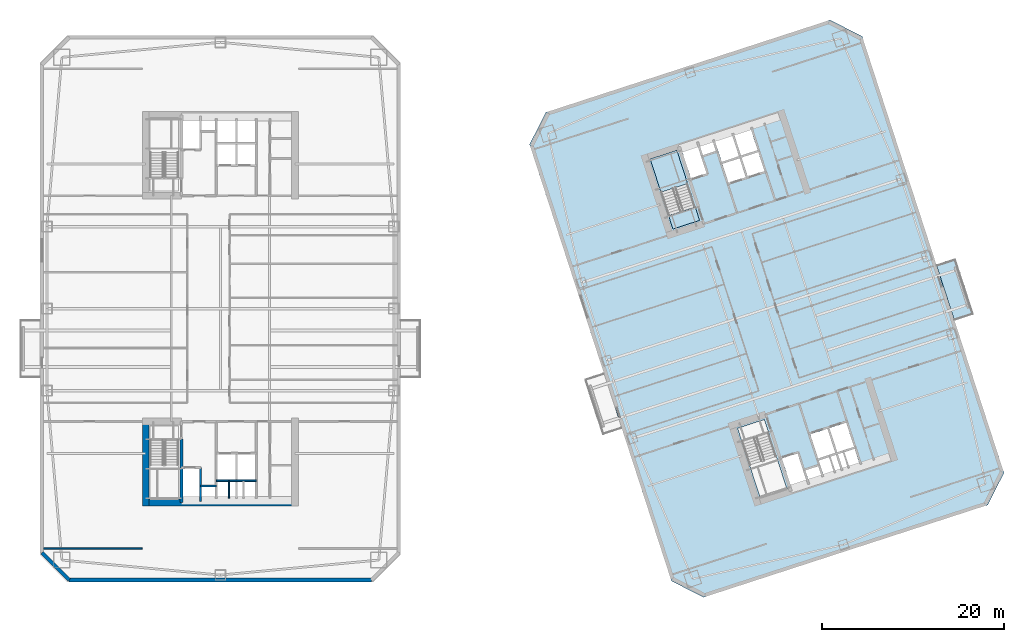
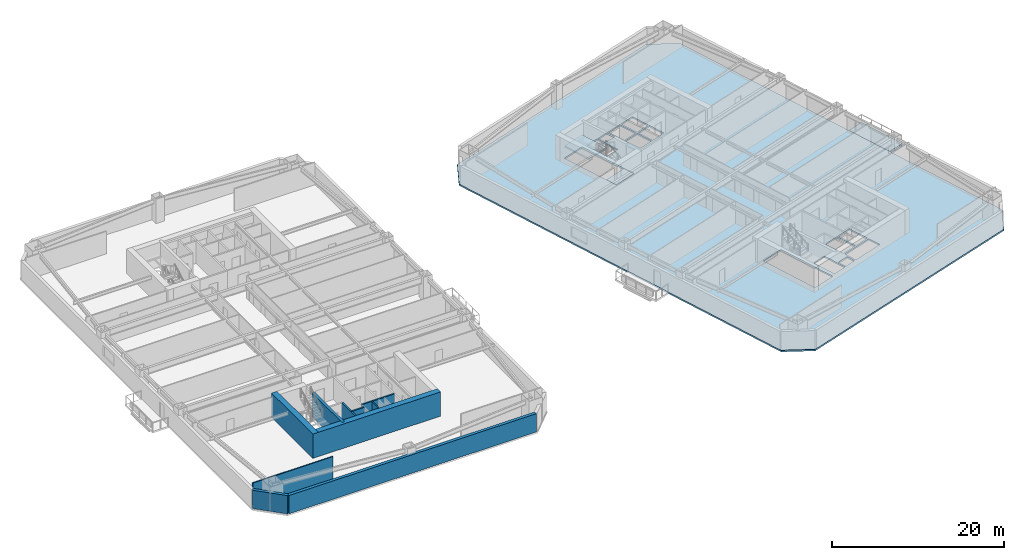
# One storey, part 3 of 15: 10 walls, 4 slabs, 1 element without a shape of its own.
"""IFC4 building model written with IfcOpenShell, lengths in metres."""

import ifcopenshell
import ifcopenshell.guid

model = None  # the IFC model being written
_history = None  # IfcOwnerHistory: only IFC2X3 demands one
_inside = {}  # id of a spatial element -> (the spatial element, [elements in it])
_under = {}  # id of a project, library or spatial element -> (it, [spatial elements below it])
_declared = {}  # id of a project -> (the project, [libraries it declares])
_typed = {}  # id of a type object -> (the type object, [elements of that type])
_made_of = {}  # id of a material, layer set ... -> (it, [elements and type objects made of it])


def new_model(schema):
    """Start an empty IFC model of exactly this schema.

    Asked for "IFC4X3", IfcOpenShell would pick the latest addendum, in which some entities
    have other attributes; the version numbers below select the first issue.
    IFC2X3 requires an IfcOwnerHistory on every rooted entity: one is made here for all.
    """
    global model, _history
    if schema == "IFC4X3":
        model = ifcopenshell.file(schema_version=(4, 3, 0, 0))
    else:
        model = ifcopenshell.file(schema=schema)
    _inside.clear()
    _under.clear()
    _declared.clear()
    _typed.clear()
    _made_of.clear()
    _history = None
    if model.schema == "IFC2X3":
        org = make("IfcOrganization", Name="unknown")
        user = make(
            "IfcPersonAndOrganization",
            ThePerson=make("IfcPerson", FamilyName="unknown"),
            TheOrganization=org,
        )
        app = make(
            "IfcApplication",
            ApplicationDeveloper=org,
            Version="unknown",
            ApplicationFullName="unknown",
            ApplicationIdentifier="unknown",
        )
        _history = make(
            "IfcOwnerHistory",
            OwningUser=user,
            OwningApplication=app,
            ChangeAction="ADDED",
            CreationDate=0,
        )
    return model


def make(cls, **values):
    """One entity of the class cls with the attributes given. An attribute that is None is left unset."""
    return model.create_entity(
        cls, **{name: value for name, value in values.items() if value is not None}
    )


def rooted(cls, **values):
    """An entity with a GlobalId (a new one), such as an element, a storey or a relation."""
    return make(cls, GlobalId=ifcopenshell.guid.new(), OwnerHistory=_history, **values)


def si_unit(unit_type, name, prefix=None):
    """IfcSIUnit, for example si_unit("LENGTHUNIT", "METRE", prefix="MILLI")."""
    return make("IfcSIUnit", UnitType=unit_type, Prefix=prefix, Name=name)


def assignment(units):
    """IfcUnitAssignment: the units of a project."""
    return None if units is None else make("IfcUnitAssignment", Units=units)


def point(xyz):
    """IfcCartesianPoint."""
    return None if xyz is None else make("IfcCartesianPoint", Coordinates=xyz)


def direction(xyz):
    """IfcDirection."""
    return None if xyz is None else make("IfcDirection", DirectionRatios=xyz)


def frame(location, z_axis=None, x_axis=None):
    """IfcAxis2Placement3D, a coordinate frame: its origin and axes. An axis left out is left unset."""
    return make(
        "IfcAxis2Placement3D",
        Location=point(location),
        Axis=direction(z_axis),
        RefDirection=direction(x_axis),
    )


def frame_2d(location, x_axis=None):
    """IfcAxis2Placement2D, a coordinate frame in the plane: its origin and x axis."""
    return make(
        "IfcAxis2Placement2D", Location=point(location), RefDirection=direction(x_axis)
    )


def origin():
    """The frame at (0, 0, 0) with its axes left unset."""
    return frame((0.0, 0.0, 0.0))


def place(relative_to, where):
    """IfcLocalPlacement: puts the frame where relative to a parent placement (None: the world)."""
    return make(
        "IfcLocalPlacement", PlacementRelTo=relative_to, RelativePlacement=where
    )


def context(
    kind, dimensions, precision=None, world=None, true_north=None, identifier=None
):
    """IfcGeometricRepresentationContext, for example the 3D "Model" context."""
    return make(
        "IfcGeometricRepresentationContext",
        ContextIdentifier=identifier,
        ContextType=kind,
        CoordinateSpaceDimension=dimensions,
        Precision=precision,
        WorldCoordinateSystem=world,
        TrueNorth=true_north,
    )


def subcontext(parent, identifier, kind, view, scale=None):
    """IfcGeometricRepresentationSubContext, for example "Body" below "Model"."""
    return make(
        "IfcGeometricRepresentationSubContext",
        ContextIdentifier=identifier,
        ContextType=kind,
        ParentContext=parent,
        TargetScale=scale,
        TargetView=view,
    )


def project(units=None, contexts=None):
    """IfcProject with its units and contexts."""
    return rooted(
        "IfcProject",
        Name="project",
        RepresentationContexts=contexts,
        UnitsInContext=assignment(units),
    )


def spatial(cls, under=None, at=None, **own):
    """A site, building, storey or space (cls), placed at a placement, below another one or the project."""
    s = rooted(cls, ObjectPlacement=at, **own)
    if under is not None:
        _under.setdefault(under.id(), (under, []))[1].append(s)
    return s


def polyline(points):
    """IfcPolyline through the points."""
    return make("IfcPolyline", Points=[point(p) for p in points])


def profile(cls, at=None, kind="AREA", **sizes):
    """A parametric profile (cls). Its sizes go by their IFC names, for example OverallWidth=200.0."""
    return make(cls, ProfileType=kind, Position=at, **sizes)


def rectangle(**sizes):
    """IfcRectangleProfileDef."""
    return profile("IfcRectangleProfileDef", **sizes)


def outline(outer, holes=None, kind="AREA"):
    """IfcArbitraryClosedProfileDef: a profile drawn as a closed curve; with holes, ...WithVoids."""
    if holes is None:
        return make("IfcArbitraryClosedProfileDef", ProfileType=kind, OuterCurve=outer)
    return make(
        "IfcArbitraryProfileDefWithVoids",
        ProfileType=kind,
        OuterCurve=outer,
        InnerCurves=holes,
    )


def extrude(swept, where, along, depth):
    """IfcExtrudedAreaSolid: the profile swept, set in the frame where, extruded along a direction by depth."""
    return make(
        "IfcExtrudedAreaSolid",
        SweptArea=swept,
        Position=where,
        ExtrudedDirection=direction(along),
        Depth=depth,
    )


def shape(context_of_items, identifier, shape_type, items):
    """IfcShapeRepresentation: the items that make up one representation, for example the "Body"."""
    return make(
        "IfcShapeRepresentation",
        ContextOfItems=context_of_items,
        RepresentationIdentifier=identifier,
        RepresentationType=shape_type,
        Items=items,
    )


def material(Name=None, Category=None):
    """IfcMaterial."""
    return make("IfcMaterial", Name=Name, Category=Category)


def layer(
    of_material, thickness, ventilated=None, Name=None, Category=None, Priority=None
):
    """IfcMaterialLayer: one layer of a wall or slab, of a material (None: an air gap)."""
    return make(
        "IfcMaterialLayer",
        Material=of_material,
        LayerThickness=thickness,
        IsVentilated=ventilated,
        Name=Name,
        Category=Category,
        Priority=Priority,
    )


def layer_set(layers, Name=None):
    """IfcMaterialLayerSet."""
    return make("IfcMaterialLayerSet", MaterialLayers=layers, LayerSetName=Name)


def made_of(thing, what):
    """Note that an element or type object is made of a material, layer set ...; save() writes the relation."""
    if what is not None:
        _made_of.setdefault(what.id(), (what, []))[1].append(thing)
    return thing


def type_object(cls, material=None, **own):
    """A type object (cls), such as IfcWallType, which elements share."""
    return made_of(rooted(cls, **own), material)


def element(
    cls,
    number,
    at=None,
    inside=None,
    cuts=None,
    type_object=None,
    material=None,
    context=None,
    identifier="Body",
    shape_type=None,
    held_by="IfcProductDefinitionShape",
    body=None,
    shapes=None,
    **own,
):
    """One element of the class cls, such as IfcWall. Its Tag is "e" and its number.

    at: its placement. inside: the storey or other place that contains it. cuts: it is an
    opening in that element (IfcRelVoidsElement). A single representation is given by context,
    identifier, shape_type and body (its items); several are given by shapes. held_by: the class
    of the entity that holds the representations. save() writes the other relations.
    """
    e = rooted(cls, Tag="e%d" % number, ObjectPlacement=at, **own)
    if body is not None:
        shapes = [shape(context, identifier, shape_type, body)]
    if shapes is not None:
        e.Representation = make(held_by, Representations=shapes)
    if inside is not None:
        _inside.setdefault(inside.id(), (inside, []))[1].append(e)
    if cuts is not None:
        rooted(
            "IfcRelVoidsElement", RelatingBuildingElement=cuts, RelatedOpeningElement=e
        )
    if type_object is not None:
        _typed.setdefault(type_object.id(), (type_object, []))[1].append(e)
    return made_of(e, material)


def aggregate(whole, parts):
    """IfcRelAggregates: a whole, such as a stair, and the parts it consists of."""
    return rooted("IfcRelAggregates", RelatingObject=whole, RelatedObjects=parts)


def save(model, path):
    """Write the relations noted so far, then the file.

    IfcRelAggregates (storeys below a building ...), IfcRelContainedInSpatialStructure (elements
    in a storey), IfcRelDefinesByType, IfcRelAssociatesMaterial and IfcRelDeclares: one each for
    every whole, place, type object, material and project.
    """
    for whole, parts in _under.values():
        aggregate(whole, parts)
    for where, things in _inside.values():
        rooted(
            "IfcRelContainedInSpatialStructure",
            RelatedElements=things,
            RelatingStructure=where,
        )
    for kind, things in _typed.values():
        rooted("IfcRelDefinesByType", RelatedObjects=things, RelatingType=kind)
    for what, things in _made_of.values():
        rooted("IfcRelAssociatesMaterial", RelatedObjects=things, RelatingMaterial=what)
    for by, libraries in _declared.values():
        rooted("IfcRelDeclares", RelatingContext=by, RelatedDefinitions=libraries)
    model.write(path)


model = new_model("IFC4")

# Units and contexts
model_context = context("Model", 3, precision=1e-05, world=origin(), true_north=direction((0.0, 1.0)))
body_context = subcontext(model_context, "Body", "Model", "MODEL_VIEW")
ifc_project = project(units=[si_unit("LENGTHUNIT", "METRE"), si_unit("AREAUNIT", "SQUARE_METRE"), si_unit("VOLUMEUNIT", "CUBIC_METRE"), si_unit("PLANEANGLEUNIT", "RADIAN"), si_unit("MASSUNIT", "GRAM", prefix="KILO")], contexts=[model_context])

# Site, building, storey
site_placement = place(None, origin())
site = spatial("IfcSite", under=ifc_project, at=site_placement, CompositionType="ELEMENT")
building_placement = place(site_placement, origin())
building = spatial("IfcBuilding", under=site, at=building_placement, Name="Qiaolan Cultural Towers", CompositionType="ELEMENT")
storey_placement = place(building_placement, frame((0.0, 0.0, 60.949951171875)))
storey = spatial("IfcBuildingStorey", under=building, at=storey_placement, Name="L14", CompositionType="ELEMENT", Elevation=60.949951171875)

# Slab
ifc_material_1 = material(Name="Concrete C45", Category="concrete")
ifc_layer_1 = layer(ifc_material_1, 0.239990234375)
ifc_layer_set_1 = layer_set([ifc_layer_1], Name="Concrete C45")
slab_type_1 = type_object("IfcSlabType", Name="SL-BAL-240", PredefinedType="FLOOR", material=ifc_layer_set_1)
slab_1_placement = place(storey_placement, frame((0.0, 0.0, -0.239990234375)))
element("IfcSlab", 1, at=slab_1_placement, inside=storey, type_object=slab_type_1, Name="L14 T2 Planted Tree Balcony E", PredefinedType="FLOOR", context=body_context, shape_type="SweptSolid", body=[
    extrude(outline(polyline([(110.60888671875, 32.705078125), (112.701171875, 33.385009765625), (110.723388671875, 39.4716796875), (108.631103515625, 38.791748046875), (110.60888671875, 32.705078125)])), origin(), (0.0, 0.0, 1.0), 0.239990234375),
])

# Stair, slab
ifc_material_2 = material(Name="Concrete C45", Category="concrete")
stair_type = type_object("IfcStairType", Name="STR-CORE-1500", PredefinedType="HALF_TURN_STAIR", material=ifc_material_2)
stair_placement = place(storey_placement, origin())
stair = element("IfcStair", 2, at=stair_placement, inside=storey, type_object=stair_type, Name="L14 Smokeproof Exit Stair ST-E2", PredefinedType="HALF_TURN_STAIR")
ifc_material_3 = material(Name="Concrete C45", Category="concrete")
ifc_layer_2 = layer(ifc_material_3, 0.199951171875)
ifc_layer_set_2 = layer_set([ifc_layer_2], Name="Concrete C45")
slab_type_2 = type_object("IfcSlabType", Name="SL-STAIR-LAND", PredefinedType="LANDING", material=ifc_layer_set_2)
slab_2_placement = place(storey_placement, frame((0.0, 0.0, 1.525146484375)))
slab_2 = element("IfcSlab", 3, at=slab_2_placement, type_object=slab_type_2, Name="ST-E2 landing 1", PredefinedType="LANDING", context=body_context, shape_type="SweptSolid", body=[
    extrude(outline(polyline([(81.31005859375, 47.735595703125), (80.1201171875, 51.3984375), (77.190673828125, 50.44677734375), (78.380859375, 46.783935546875), (81.31005859375, 47.735595703125)])), origin(), (0.0, 0.0, 1.0), 0.199951171875),
])
aggregate(stair, [slab_2])

# Slabs
ifc_material_4 = material(Name="Concrete C40", Category="concrete")
ifc_layer_3 = layer(ifc_material_4, 0.360107421875)
ifc_layer_set_3 = layer_set([ifc_layer_3], Name="Concrete C40")
slab_type_3 = type_object("IfcSlabType", Name="SL-STFLR-360", PredefinedType="LANDING", material=ifc_layer_set_3)
slab_3_placement = place(storey_placement, frame((0.0, 0.0, -0.35986328125)))
element("IfcSlab", 4, at=slab_3_placement, inside=storey, type_object=slab_type_3, Name="L14 ST-E2 Stair Floor Landing Slab", PredefinedType="LANDING", context=body_context, shape_type="SweptSolid", body=[
    extrude(outline(polyline([(82.62060546875, 43.6962890625), (82.141845703125, 45.169677734375), (79.21630859375, 44.21923828125), (79.695068359375, 42.74560546875), (82.62060546875, 43.6962890625)])), origin(), (0.0, 0.0, 1.0), 0.35986328125),
])
ifc_material_5 = material(Name="Concrete C45", Category="concrete")
ifc_layer_4 = layer(ifc_material_5, 0.219970703125)
ifc_layer_set_4 = layer_set([ifc_layer_4], Name="Concrete C45")
slab_type_4 = type_object("IfcSlabType", Name="SL-TYP-220", PredefinedType="FLOOR", material=ifc_layer_set_4)
slab_4_placement = place(storey_placement, frame((0.0, 0.0, -0.219970703125)))
element("IfcSlab", 5, at=slab_4_placement, inside=storey, type_object=slab_type_4, Name="L14 East Tower Floor Slab", PredefinedType="FLOOR", context=body_context, shape_type="SweptSolid", body=[
    extrude(outline(polyline([(83.05517578125, 2.302490234375), (114.249755859375, 12.438232421875), (116.047607421875, 15.966552734375), (100.47314453125, 63.899658203125), (96.94482421875, 65.697509765625), (65.750244140625, 55.561767578125), (63.952392578125, 52.033447265625), (79.52685546875, 4.100341796875), (83.05517578125, 2.302490234375)]), holes=[polyline([(86.80126953125, 20.868896484375), (89.30419921875, 13.165283203125), (92.2333984375, 14.116943359375), (89.73046875, 21.820556640625), (86.80126953125, 20.868896484375)]), polyline([(82.623046875, 43.69482421875), (80.1201171875, 51.3984375), (77.190673828125, 50.44677734375), (79.69384765625, 42.7431640625), (82.623046875, 43.69482421875)]), polyline([(92.666259765625, 14.468017578125), (94.42578125, 15.03955078125), (93.42138671875, 18.130615234375), (91.661865234375, 17.558837890625), (92.666259765625, 14.468017578125)]), polyline([(94.5908203125, 15.14599609375), (96.027099609375, 15.612548828125), (95.66552734375, 16.725341796875), (94.2294921875, 16.258544921875), (94.5908203125, 15.14599609375)]), polyline([(95.643310546875, 17.5380859375), (97.54541015625, 18.15625), (96.68017578125, 20.819091796875), (94.77783203125, 20.201171875), (95.643310546875, 17.5380859375)]), polyline([(97.735595703125, 18.218017578125), (99.58056640625, 18.8173828125), (98.71533203125, 21.48046875), (96.870361328125, 20.880859375), (97.735595703125, 18.218017578125)]), polyline([(96.245849609375, 15.68359375), (100.18310546875, 16.962890625), (99.6484375, 18.608154296875), (95.711181640625, 17.328857421875), (96.245849609375, 15.68359375)]), polyline([(81.6806640625, 48.278076171875), (83.440185546875, 48.849609375), (82.435791015625, 51.940673828125), (80.67626953125, 51.368896484375), (81.6806640625, 48.278076171875)]), polyline([(82.993408203125, 50.839111328125), (84.4296875, 51.3056640625), (84.068115234375, 52.41845703125), (82.632080078125, 51.95166015625), (82.993408203125, 50.839111328125)]), polyline([(85.810302734375, 47.80078125), (87.71240234375, 48.418701171875), (87.013916015625, 50.568115234375), (85.11181640625, 49.9501953125), (85.810302734375, 47.80078125)]), polyline([(87.902587890625, 48.480712890625), (89.74755859375, 49.080078125), (89.04931640625, 51.2294921875), (87.2041015625, 50.6298828125), (87.902587890625, 48.480712890625)]), polyline([(85.05322265625, 50.130859375), (86.936279296875, 50.74267578125), (86.169921875, 53.101318359375), (84.286865234375, 52.489501953125), (85.05322265625, 50.130859375)]), polyline([(87.1455078125, 50.810791015625), (88.990478515625, 51.41015625), (88.22412109375, 53.768798828125), (86.379150390625, 53.169189453125), (87.1455078125, 50.810791015625)])]), origin(), (0.0, 0.0, 1.0), 0.219970703125),
])

# Walls
ifc_material_6 = material(Name="Concrete C50", Category="concrete")
ifc_layer_5 = layer(ifc_material_6, 0.35009765625)
ifc_layer_set_5 = layer_set([ifc_layer_5], Name="Concrete C50")
wall_type_1 = type_object("IfcWallType", Name="WL-CORE-350", PredefinedType="SHEAR", material=ifc_layer_set_5)
wall_1_placement = place(storey_placement, frame((25.719970703125, 19.699951171875, 0.0), z_axis=(0.0, 0.0, 1.0), x_axis=(0.0, -1.0, 0.0)))
element("IfcWall", 6, at=wall_1_placement, inside=storey, type_object=wall_type_1, Name="L14 T1-CS Stair Core Dividing Web", PredefinedType="SHEAR", context=body_context, shape_type="SweptSolid", body=[
    extrude(rectangle(XDim=6.97998046875, YDim=0.35009765625, at=frame_2d((3.489990234375, 0.0))), origin(), (0.0, 0.0, 1.0), 3.449951171875),
])
ifc_material_7 = material(Name="Concrete C60", Category="concrete")
ifc_layer_6 = layer(ifc_material_7, 0.75)
ifc_layer_set_6 = layer_set([ifc_layer_6], Name="Concrete C60")
wall_type_2 = type_object("IfcWallType", Name="WL-CORE-750", PredefinedType="SHEAR", material=ifc_layer_set_6)
wall_2_placement = place(storey_placement, frame((21.425048828125, 12.719970703125, 0.0), z_axis=(0.0, 0.0, 1.0), x_axis=(1.0, 0.0, 0.0)))
element("IfcWall", 7, at=wall_2_placement, inside=storey, type_object=wall_type_2, Name="L14 T1-CS Outer Core Shear Wall", PredefinedType="SHEAR", context=body_context, shape_type="SweptSolid", body=[
    extrude(rectangle(XDim=17.14990234375, YDim=0.75, at=frame_2d((8.574951171875, 0.0))), origin(), (0.0, 0.0, 1.0), 3.449951171875),
])
wall_3_placement = place(storey_placement, frame((21.800048828125, 21.97509765625, 0.0), z_axis=(0.0, 0.0, 1.0), x_axis=(0.0, -1.0, 0.0)))
element("IfcWall", 8, at=wall_3_placement, inside=storey, type_object=wall_type_2, Name="L14 T1-CS West Core Shear Wall", PredefinedType="SHEAR", context=body_context, shape_type="SweptSolid", body=[
    extrude(rectangle(XDim=9.630126953125, YDim=0.75, at=frame_2d((4.81494140625, 0.0))), origin(), (0.0, 0.0, 1.0), 3.449951171875),
])
ifc_material_8 = material(Name="Precast Concrete C50 Honed Stone Pier", Category="masonry")
ifc_layer_7 = layer(ifc_material_8, 0.39990234375)
ifc_layer_set_7 = layer_set([ifc_layer_7], Name="Precast Concrete C50 Honed Stone Pier")
wall_type_3 = type_object("IfcWallType", Name="WL-EXT-PIER-400", PredefinedType="SOLIDWALL", material=ifc_layer_set_7)
wall_4_placement = place(storey_placement, frame((46.60009765625, 4.199951171875, 0.0), z_axis=(0.0, 0.0, 1.0), x_axis=(-1.0, 0.0, 0.0)))
element("IfcWall", 9, at=wall_4_placement, inside=storey, type_object=wall_type_3, Name="L14 West Tower Precast Pier Facade Wall F7", PredefinedType="SOLIDWALL", context=body_context, shape_type="SweptSolid", body=[
    extrude(rectangle(XDim=33.2001953125, YDim=0.39990234375, at=frame_2d((16.60009765625, 0.0))), origin(), (0.0, 0.0, 1.0), 2.610107421875),
])
wall_5_placement = place(storey_placement, frame((13.39990234375, 4.199951171875, 0.0), z_axis=(0.0, 0.0, 1.0), x_axis=(-0.707106781187, 0.707106781187, 0.0)))
element("IfcWall", 10, at=wall_5_placement, inside=storey, type_object=wall_type_3, Name="L14 West Tower Precast Pier Facade Wall F8", PredefinedType="SOLIDWALL", context=body_context, shape_type="SweptSolid", body=[
    extrude(rectangle(XDim=4.24267578125, YDim=0.39990234375, at=frame_2d((2.121337890625, 0.0))), origin(), (0.0, 0.0, 1.0), 2.610107421875),
])
ifc_material_9 = material(Name="Concrete C35 Fire Wall", Category="concrete")
ifc_layer_8 = layer(ifc_material_9, 0.199951171875)
ifc_layer_set_8 = layer_set([ifc_layer_8], Name="Concrete C35 Fire Wall")
wall_type_4 = type_object("IfcWallType", Name="WL-FIRE-200", PredefinedType="PARTITIONING", material=ifc_layer_set_8)
wall_6_placement = place(storey_placement, frame((27.820068359375, 16.550048828125, 0.0), z_axis=(0.0, 0.0, 1.0), x_axis=(0.0, -1.0, 0.0)))
element("IfcWall", 11, at=wall_6_placement, inside=storey, type_object=wall_type_4, Name="L14 T1-CS Firefighting Hoistway East Wall", PredefinedType="PARTITIONING", context=body_context, shape_type="SweptSolid", body=[
    extrude(rectangle(XDim=3.699951171875, YDim=0.199951171875, at=frame_2d((1.85009765625, 0.0))), origin(), (0.0, 0.0, 1.0), 3.175048828125),
])
wall_7_placement = place(storey_placement, frame((27.820068359375, 14.52001953125, 0.0), z_axis=(0.0, 0.0, 1.0), x_axis=(1.0, 0.0, 0.0)))
element("IfcWall", 12, at=wall_7_placement, inside=storey, type_object=wall_type_4, Name="L14 T1-CS Pressurization Shaft Front Wall", PredefinedType="PARTITIONING", context=body_context, shape_type="SweptSolid", body=[
    extrude(rectangle(XDim=1.72998046875, YDim=0.199951171875, at=frame_2d((0.864990234375, 0.0))), origin(), (0.0, 0.0, 1.0), 3.175048828125),
])
wall_8_placement = place(storey_placement, frame((29.550048828125, 15.10009765625, 0.0), z_axis=(0.0, 0.0, 1.0), x_axis=(1.0, 0.0, 0.0)))
element("IfcWall", 13, at=wall_8_placement, inside=storey, type_object=wall_type_4, Name="L14 T1-CS Passenger Lift Shaft Back Wall", PredefinedType="PARTITIONING", context=body_context, shape_type="SweptSolid", body=[
    extrude(rectangle(XDim=4.39990234375, YDim=0.199951171875, at=frame_2d((2.199951171875, 0.0))), origin(), (0.0, 0.0, 1.0), 3.175048828125),
])
ifc_material_10 = material(Name="Autoclaved Aerated Concrete Block B06", Category="concrete")
ifc_layer_9 = layer(ifc_material_10, 0.14990234375)
ifc_layer_set_9 = layer_set([ifc_layer_9], Name="Autoclaved Aerated Concrete Block B06")
wall_type_5 = type_object("IfcWallType", Name="WL-PART-150", PredefinedType="PARTITIONING", material=ifc_layer_set_9)
wall_9_placement = place(storey_placement, frame((30.949951171875, 15.050048828125, 0.0), z_axis=(0.0, 0.0, 1.0), x_axis=(0.0, -1.0, 0.0)))
element("IfcWall", 14, at=wall_9_placement, inside=storey, type_object=wall_type_5, Name="L14 T1-CS Core Rear Split 1", PredefinedType="PARTITIONING", context=body_context, shape_type="SweptSolid", body=[
    extrude(rectangle(XDim=1.880126953125, YDim=0.14990234375, at=frame_2d((0.93994140625, 0.0))), origin(), (0.0, 0.0, 1.0), 3.175048828125),
])
wall_10_placement = place(storey_placement, frame((10.60009765625, 7.64990234375, 0.0), z_axis=(0.0, 0.0, 1.0), x_axis=(1.0, 0.0, 0.0)))
element("IfcWall", 15, at=wall_10_placement, inside=storey, type_object=wall_type_5, Name="L14 T1 Flank Wall FLK-SW", PredefinedType="PARTITIONING", context=body_context, shape_type="SweptSolid", body=[
    extrude(rectangle(XDim=10.7998046875, YDim=0.14990234375, at=frame_2d((5.39990234375, 0.0))), origin(), (0.0, 0.0, 1.0), 3.175048828125),
])

save(model, "model.ifc")
